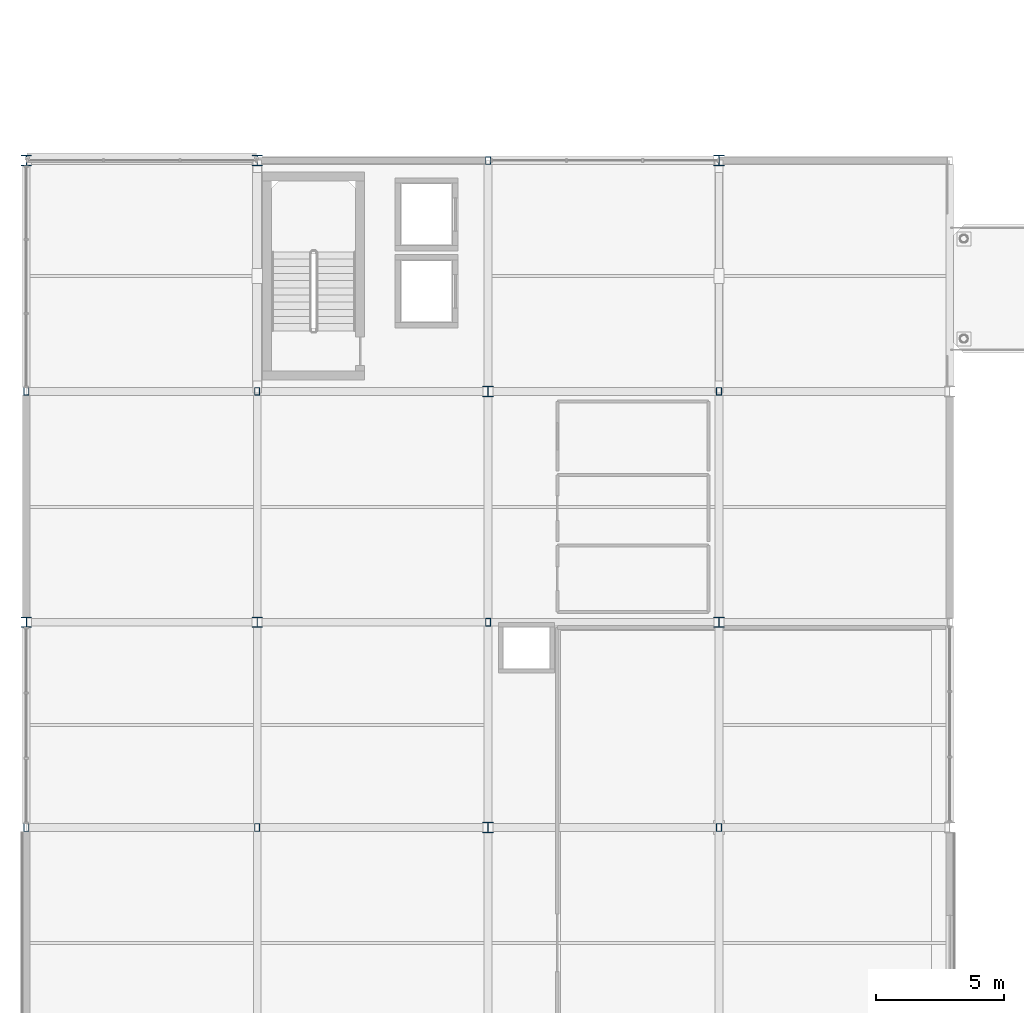
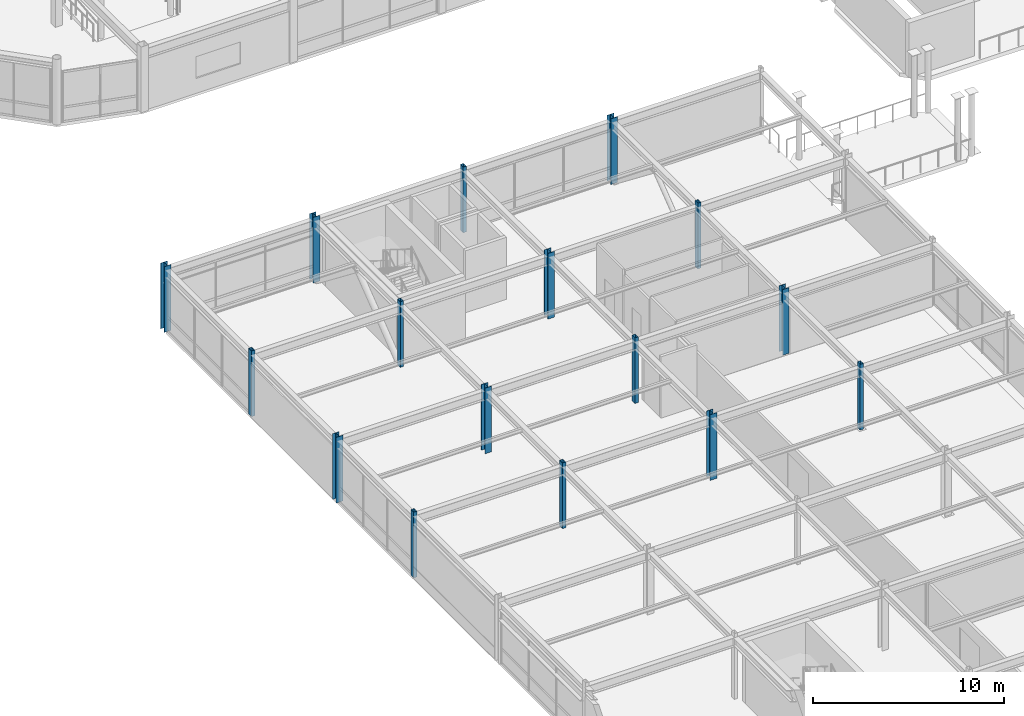
# One storey, part 3 of 105: 16 columns.
"""IFC4 building model written with IfcOpenShell, lengths in metres."""

from ifc_helpers import new_model, si_unit, direction, frame, origin, origin_2d, place, context, subcontext, project, spatial, hollow_rectangle, i_section, extrude, material, material_profile, profile_set, type_object, element, save


model = new_model("IFC4")

# Units and contexts
model_context = context("Model", 3, precision=1e-05, world=origin(), true_north=direction((0.0, 1.0)))
body_context = subcontext(model_context, "Body", "Model", "MODEL_VIEW")
ifc_project = project(units=[si_unit("LENGTHUNIT", "METRE"), si_unit("AREAUNIT", "SQUARE_METRE"), si_unit("VOLUMEUNIT", "CUBIC_METRE"), si_unit("PLANEANGLEUNIT", "RADIAN"), si_unit("MASSUNIT", "GRAM", prefix="KILO")], contexts=[model_context])

# Site, building, storey
site_placement = place(None, origin())
site = spatial("IfcSite", under=ifc_project, at=site_placement, CompositionType="ELEMENT")
building_placement = place(site_placement, origin())
building = spatial("IfcBuilding", under=site, at=building_placement, Name="Suzunagisa Mobility Hub", CompositionType="ELEMENT")
storey_placement = place(building_placement, frame((0.0, 0.0, 5.10009765625)))
storey = spatial("IfcBuildingStorey", under=building, at=storey_placement, Name="L01", CompositionType="ELEMENT", Elevation=5.10009765625)

# Columns
ifc_material = material(Name="Steel SN490B", Category="steel")
ifc_material_profile_1 = material_profile(ifc_material, i_section(OverallWidth=0.39990234375, OverallDepth=0.39990234375, WebThickness=0.012939453125, FlangeThickness=0.02099609375, FilletRadius=0.01611328125, at=origin_2d()), Name="H-400x400x13x21")
ifc_profile_set_1 = profile_set([ifc_material_profile_1], Name="Steel SN490B")
column_type_1 = type_object("IfcColumnType", Name="Steel Column CL-10 H-400x400x13x21", PredefinedType="COLUMN", material=ifc_profile_set_1)
for number, where, z_axis, x_axis, name in (
    (1, (0.0, 44.0, 0.0), (0.0, 0.0, 1.0), (1.0, 0.0, 0.0), "L01 Column 5"),
    (2, (0.0, 62.0, 0.0), (0.0, 0.0, 1.0), (1.0, 0.0, 0.0), "L01 Column 7"),
    (3, (9.0, 44.0, 0.0), (0.0, 0.0, 1.0), (1.0, 0.0, 0.0), "L01 Column 25"),
    (4, (9.0, 62.0, 0.0), (0.0, 0.0, 1.0), (1.0, 0.0, 0.0), "L01 Column 27"),
    (5, (18.0, 36.0, 0.0), (0.0, 0.0, 1.0), (1.0, 0.0, 0.0), "L01 Column 45"),
    (6, (18.0, 53.0, 0.0), (0.0, 0.0, 1.0), (1.0, 0.0, 0.0), "L01 Column 47"),
    (7, (27.0, 44.0, 0.0), (0.0, 0.0, 1.0), (1.0, 0.0, 0.0), "L01 Column 67"),
    (8, (27.0, 62.0, 0.0), (0.0, 0.0, 1.0), (1.0, 0.0, 0.0), "L01 Column 69"),
):
    element("IfcColumn", number, at=place(storey_placement, frame(where, z_axis=z_axis, x_axis=x_axis)), inside=storey, type_object=column_type_1, Name=name, PredefinedType="COLUMN", context=body_context, shape_type="SweptSolid", body=[
        extrude(i_section(OverallWidth=0.39990234375, OverallDepth=0.39990234375, WebThickness=0.012939453125, FlangeThickness=0.02099609375, FilletRadius=0.01611328125, at=origin_2d()), origin(), (0.0, 0.0, 1.0), 4.199951171875),
    ])
ifc_material_profile_2 = material_profile(ifc_material, hollow_rectangle(XDim=0.199951171875, YDim=0.300048828125, WallThickness=0.011962890625, at=origin_2d()), Name="RHS-300x200x12")
ifc_profile_set_2 = profile_set([ifc_material_profile_2], Name="Steel SN490B")
column_type_2 = type_object("IfcColumnType", Name="Steel Column CL-15 RHS-300x200x12", PredefinedType="COLUMN", material=ifc_profile_set_2)
for number, where, z_axis, x_axis, name in (
    (9, (0.0, 36.0, 0.0), (0.0, 0.0, 1.0), (1.0, 0.0, 0.0), "L01 Column 4"),
    (10, (0.0, 53.0, 0.0), (0.0, 0.0, 1.0), (1.0, 0.0, 0.0), "L01 Column 6"),
    (11, (9.0, 36.0, 0.0), (0.0, 0.0, 1.0), (1.0, 0.0, 0.0), "L01 Column 24"),
    (12, (9.0, 53.0, 0.0), (0.0, 0.0, 1.0), (1.0, 0.0, 0.0), "L01 Column 26"),
    (13, (18.0, 44.0, 0.0), (0.0, 0.0, 1.0), (1.0, 0.0, 0.0), "L01 Column 46"),
    (14, (18.0, 62.0, 0.0), (0.0, 0.0, 1.0), (1.0, 0.0, 0.0), "L01 Column 48"),
    (15, (27.0, 36.0, 0.0), (0.0, 0.0, 1.0), (1.0, 0.0, 0.0), "L01 Column 66"),
    (16, (27.0, 53.0, 0.0), (0.0, 0.0, 1.0), (1.0, 0.0, 0.0), "L01 Column 68"),
):
    element("IfcColumn", number, at=place(storey_placement, frame(where, z_axis=z_axis, x_axis=x_axis)), inside=storey, type_object=column_type_2, Name=name, PredefinedType="COLUMN", context=body_context, shape_type="SweptSolid", body=[
        extrude(hollow_rectangle(XDim=0.199951171875, YDim=0.300048828125, WallThickness=0.011962890625, at=origin_2d()), origin(), (0.0, 0.0, 1.0), 4.199951171875),
    ])

save(model, "model.ifc")
